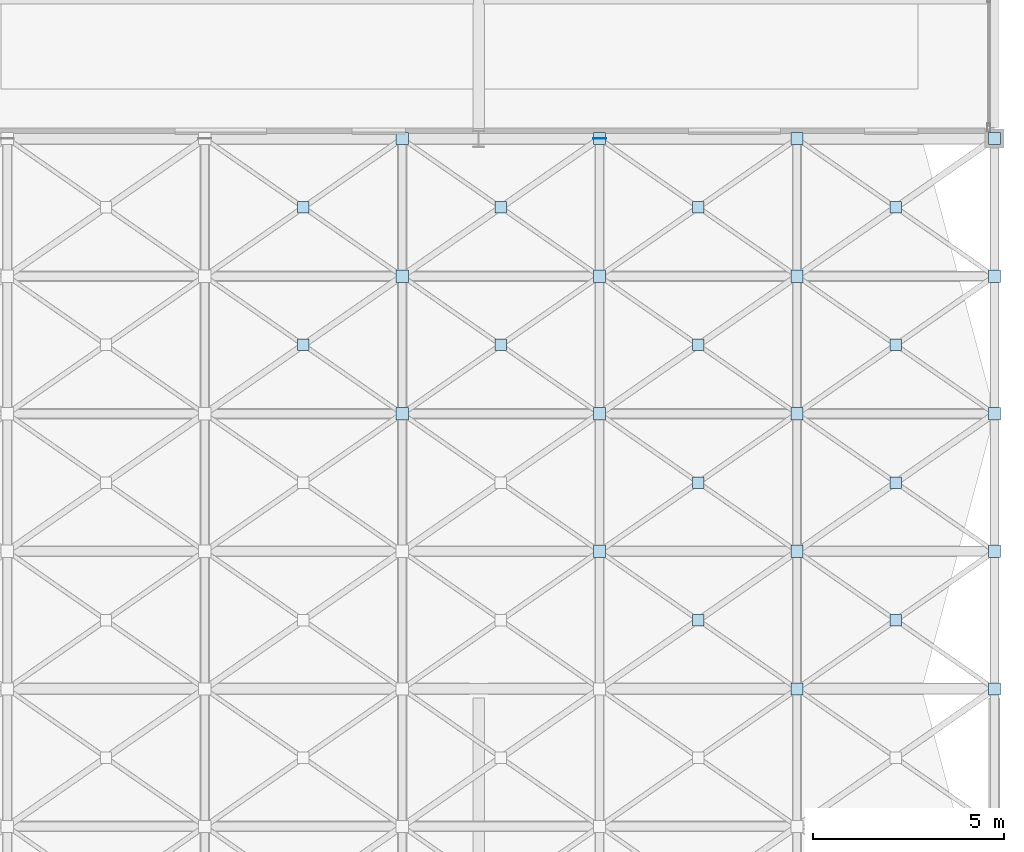
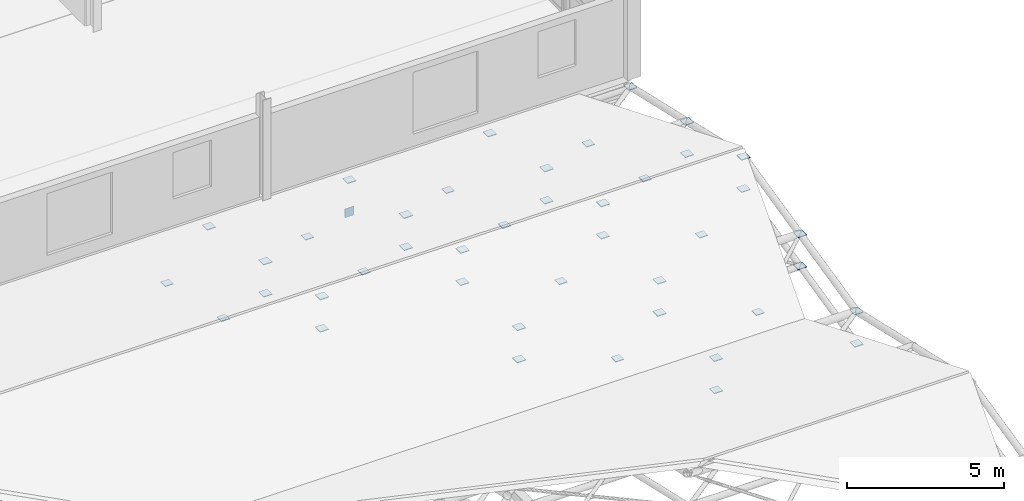
# One storey, part 100 of 110: 43 plates.
"""IFC4 building model written with IfcOpenShell, lengths in metres."""

import ifcopenshell
import ifcopenshell.guid

model = None  # the IFC model being written
_history = None  # IfcOwnerHistory: only IFC2X3 demands one
_inside = {}  # id of a spatial element -> (the spatial element, [elements in it])
_under = {}  # id of a project, library or spatial element -> (it, [spatial elements below it])
_declared = {}  # id of a project -> (the project, [libraries it declares])
_typed = {}  # id of a type object -> (the type object, [elements of that type])
_made_of = {}  # id of a material, layer set ... -> (it, [elements and type objects made of it])


def new_model(schema):
    """Start an empty IFC model of exactly this schema.

    Asked for "IFC4X3", IfcOpenShell would pick the latest addendum, in which some entities
    have other attributes; the version numbers below select the first issue.
    IFC2X3 requires an IfcOwnerHistory on every rooted entity: one is made here for all.
    """
    global model, _history
    if schema == "IFC4X3":
        model = ifcopenshell.file(schema_version=(4, 3, 0, 0))
    else:
        model = ifcopenshell.file(schema=schema)
    _inside.clear()
    _under.clear()
    _declared.clear()
    _typed.clear()
    _made_of.clear()
    _history = None
    if model.schema == "IFC2X3":
        org = make("IfcOrganization", Name="unknown")
        user = make(
            "IfcPersonAndOrganization",
            ThePerson=make("IfcPerson", FamilyName="unknown"),
            TheOrganization=org,
        )
        app = make(
            "IfcApplication",
            ApplicationDeveloper=org,
            Version="unknown",
            ApplicationFullName="unknown",
            ApplicationIdentifier="unknown",
        )
        _history = make(
            "IfcOwnerHistory",
            OwningUser=user,
            OwningApplication=app,
            ChangeAction="ADDED",
            CreationDate=0,
        )
    return model


def make(cls, **values):
    """One entity of the class cls with the attributes given. An attribute that is None is left unset."""
    return model.create_entity(
        cls, **{name: value for name, value in values.items() if value is not None}
    )


def rooted(cls, **values):
    """An entity with a GlobalId (a new one), such as an element, a storey or a relation."""
    return make(cls, GlobalId=ifcopenshell.guid.new(), OwnerHistory=_history, **values)


def si_unit(unit_type, name, prefix=None):
    """IfcSIUnit, for example si_unit("LENGTHUNIT", "METRE", prefix="MILLI")."""
    return make("IfcSIUnit", UnitType=unit_type, Prefix=prefix, Name=name)


def assignment(units):
    """IfcUnitAssignment: the units of a project."""
    return None if units is None else make("IfcUnitAssignment", Units=units)


def point(xyz):
    """IfcCartesianPoint."""
    return None if xyz is None else make("IfcCartesianPoint", Coordinates=xyz)


def direction(xyz):
    """IfcDirection."""
    return None if xyz is None else make("IfcDirection", DirectionRatios=xyz)


def frame(location, z_axis=None, x_axis=None):
    """IfcAxis2Placement3D, a coordinate frame: its origin and axes. An axis left out is left unset."""
    return make(
        "IfcAxis2Placement3D",
        Location=point(location),
        Axis=direction(z_axis),
        RefDirection=direction(x_axis),
    )


def frame_2d(location, x_axis=None):
    """IfcAxis2Placement2D, a coordinate frame in the plane: its origin and x axis."""
    return make(
        "IfcAxis2Placement2D", Location=point(location), RefDirection=direction(x_axis)
    )


def origin():
    """The frame at (0, 0, 0) with its axes left unset."""
    return frame((0.0, 0.0, 0.0))


def origin_2d():
    """The frame at (0, 0) in the plane with its x axis left unset."""
    return frame_2d((0.0, 0.0))


def place(relative_to, where):
    """IfcLocalPlacement: puts the frame where relative to a parent placement (None: the world)."""
    return make(
        "IfcLocalPlacement", PlacementRelTo=relative_to, RelativePlacement=where
    )


def context(
    kind, dimensions, precision=None, world=None, true_north=None, identifier=None
):
    """IfcGeometricRepresentationContext, for example the 3D "Model" context."""
    return make(
        "IfcGeometricRepresentationContext",
        ContextIdentifier=identifier,
        ContextType=kind,
        CoordinateSpaceDimension=dimensions,
        Precision=precision,
        WorldCoordinateSystem=world,
        TrueNorth=true_north,
    )


def subcontext(parent, identifier, kind, view, scale=None):
    """IfcGeometricRepresentationSubContext, for example "Body" below "Model"."""
    return make(
        "IfcGeometricRepresentationSubContext",
        ContextIdentifier=identifier,
        ContextType=kind,
        ParentContext=parent,
        TargetScale=scale,
        TargetView=view,
    )


def project(units=None, contexts=None):
    """IfcProject with its units and contexts."""
    return rooted(
        "IfcProject",
        Name="project",
        RepresentationContexts=contexts,
        UnitsInContext=assignment(units),
    )


def spatial(cls, under=None, at=None, **own):
    """A site, building, storey or space (cls), placed at a placement, below another one or the project."""
    s = rooted(cls, ObjectPlacement=at, **own)
    if under is not None:
        _under.setdefault(under.id(), (under, []))[1].append(s)
    return s


def profile(cls, at=None, kind="AREA", **sizes):
    """A parametric profile (cls). Its sizes go by their IFC names, for example OverallWidth=200.0."""
    return make(cls, ProfileType=kind, Position=at, **sizes)


def rectangle(**sizes):
    """IfcRectangleProfileDef."""
    return profile("IfcRectangleProfileDef", **sizes)


def extrude(swept, where, along, depth):
    """IfcExtrudedAreaSolid: the profile swept, set in the frame where, extruded along a direction by depth."""
    return make(
        "IfcExtrudedAreaSolid",
        SweptArea=swept,
        Position=where,
        ExtrudedDirection=direction(along),
        Depth=depth,
    )


def shape(context_of_items, identifier, shape_type, items):
    """IfcShapeRepresentation: the items that make up one representation, for example the "Body"."""
    return make(
        "IfcShapeRepresentation",
        ContextOfItems=context_of_items,
        RepresentationIdentifier=identifier,
        RepresentationType=shape_type,
        Items=items,
    )


def material(Name=None, Category=None):
    """IfcMaterial."""
    return make("IfcMaterial", Name=Name, Category=Category)


def layer(
    of_material, thickness, ventilated=None, Name=None, Category=None, Priority=None
):
    """IfcMaterialLayer: one layer of a wall or slab, of a material (None: an air gap)."""
    return make(
        "IfcMaterialLayer",
        Material=of_material,
        LayerThickness=thickness,
        IsVentilated=ventilated,
        Name=Name,
        Category=Category,
        Priority=Priority,
    )


def layer_set(layers, Name=None):
    """IfcMaterialLayerSet."""
    return make("IfcMaterialLayerSet", MaterialLayers=layers, LayerSetName=Name)


def made_of(thing, what):
    """Note that an element or type object is made of a material, layer set ...; save() writes the relation."""
    if what is not None:
        _made_of.setdefault(what.id(), (what, []))[1].append(thing)
    return thing


def type_object(cls, material=None, **own):
    """A type object (cls), such as IfcWallType, which elements share."""
    return made_of(rooted(cls, **own), material)


def element(
    cls,
    number,
    at=None,
    inside=None,
    cuts=None,
    type_object=None,
    material=None,
    context=None,
    identifier="Body",
    shape_type=None,
    held_by="IfcProductDefinitionShape",
    body=None,
    shapes=None,
    **own,
):
    """One element of the class cls, such as IfcWall. Its Tag is "e" and its number.

    at: its placement. inside: the storey or other place that contains it. cuts: it is an
    opening in that element (IfcRelVoidsElement). A single representation is given by context,
    identifier, shape_type and body (its items); several are given by shapes. held_by: the class
    of the entity that holds the representations. save() writes the other relations.
    """
    e = rooted(cls, Tag="e%d" % number, ObjectPlacement=at, **own)
    if body is not None:
        shapes = [shape(context, identifier, shape_type, body)]
    if shapes is not None:
        e.Representation = make(held_by, Representations=shapes)
    if inside is not None:
        _inside.setdefault(inside.id(), (inside, []))[1].append(e)
    if cuts is not None:
        rooted(
            "IfcRelVoidsElement", RelatingBuildingElement=cuts, RelatedOpeningElement=e
        )
    if type_object is not None:
        _typed.setdefault(type_object.id(), (type_object, []))[1].append(e)
    return made_of(e, material)


def aggregate(whole, parts):
    """IfcRelAggregates: a whole, such as a stair, and the parts it consists of."""
    return rooted("IfcRelAggregates", RelatingObject=whole, RelatedObjects=parts)


def save(model, path):
    """Write the relations noted so far, then the file.

    IfcRelAggregates (storeys below a building ...), IfcRelContainedInSpatialStructure (elements
    in a storey), IfcRelDefinesByType, IfcRelAssociatesMaterial and IfcRelDeclares: one each for
    every whole, place, type object, material and project.
    """
    for whole, parts in _under.values():
        aggregate(whole, parts)
    for where, things in _inside.values():
        rooted(
            "IfcRelContainedInSpatialStructure",
            RelatedElements=things,
            RelatingStructure=where,
        )
    for kind, things in _typed.values():
        rooted("IfcRelDefinesByType", RelatedObjects=things, RelatingType=kind)
    for what, things in _made_of.values():
        rooted("IfcRelAssociatesMaterial", RelatedObjects=things, RelatingMaterial=what)
    for by, libraries in _declared.values():
        rooted("IfcRelDeclares", RelatingContext=by, RelatedDefinitions=libraries)
    model.write(path)


model = new_model("IFC4")

# Units and contexts
model_context = context("Model", 3, precision=1e-05, world=origin(), true_north=direction((0.0, 1.0)))
body_context = subcontext(model_context, "Body", "Model", "MODEL_VIEW")
ifc_project = project(units=[si_unit("LENGTHUNIT", "METRE"), si_unit("AREAUNIT", "SQUARE_METRE"), si_unit("VOLUMEUNIT", "CUBIC_METRE"), si_unit("PLANEANGLEUNIT", "RADIAN"), si_unit("MASSUNIT", "GRAM", prefix="KILO")], contexts=[model_context])

# Site, building, storey
site_placement = place(None, origin())
site = spatial("IfcSite", under=ifc_project, at=site_placement, CompositionType="ELEMENT")
building_placement = place(site_placement, origin())
building = spatial("IfcBuilding", under=site, at=building_placement, Name="Tamarisk Ironworks Central Station", CompositionType="ELEMENT")
storey_placement = place(building_placement, frame((0.0, 0.0, 17.39990234375)))
storey = spatial("IfcBuildingStorey", under=building, at=storey_placement, Name="L03", CompositionType="ELEMENT", Elevation=17.39990234375)

# Plates
ifc_material_1 = material(Name="Painted structural steel S355J2", Category="steel")
ifc_layer_1 = layer(ifc_material_1, 0.01611328125)
ifc_layer_set_1 = layer_set([ifc_layer_1], Name="Painted structural steel S355J2")
plate_type_1 = type_object("IfcPlateType", Name="PL-EC16", PredefinedType="SHEET", material=ifc_layer_set_1)
plate_1_placement = place(storey_placement, frame((169.666748046875, 79.199951171875, -1.89013671875), z_axis=(0.0, 0.0, 1.0), x_axis=(1.0, 0.0, 0.0)))
element("IfcPlate", 1, at=plate_1_placement, inside=storey, type_object=plate_type_1, Name="Hollow section welded end-cap plate 21", PredefinedType="SHEET", context=body_context, shape_type="SweptSolid", body=[
    extrude(rectangle(XDim=0.340087890625, YDim=0.01611328125, at=origin_2d()), origin(), (0.0, 0.0, 1.0), 0.340087890625),
])
ifc_material_2 = material(Name="Structural steel S355J2H", Category="steel")
ifc_layer_2 = layer(ifc_material_2, 0.02587890625)
ifc_layer_set_2 = layer_set([ifc_layer_2], Name="Structural steel S355J2H")
plate_type_2 = type_object("IfcPlateType", Name="PL-ND26", PredefinedType="SHEET", material=ifc_layer_set_2)
for number, where, z_axis, x_axis, name in (
    (2, (174.833251953125, 64.800048828125, -0.48291015625), (0.0, 0.0, 1.0), (1.0, 0.0, 0.0), "Space-frame collector node plate 0946"),
    (3, (180.0, 64.800048828125, -0.48291015625), (0.0, 0.0, 1.0), (1.0, 0.0, 0.0), "Space-frame collector node plate 0958"),
    (4, (164.5, 72.0, 1.167236328125), (0.0, 0.0, 1.0), (1.0, 0.0, 0.0), "Space-frame collector node plate 1068"),
):
    element("IfcPlate", number, at=place(storey_placement, frame(where, z_axis=z_axis, x_axis=x_axis)), inside=storey, type_object=plate_type_2, Name=name, PredefinedType="SHEET", context=body_context, shape_type="SweptSolid", body=[
        extrude(rectangle(XDim=0.320068359375, YDim=0.320068359375, at=origin_2d()), origin(), (0.0, 0.0, 1.0), 0.02587890625),
    ])
plate_2_placement = place(storey_placement, frame((161.916748046875, 73.800048828125, 0.129638671875), z_axis=(0.0, 0.0, 1.0), x_axis=(1.0, 0.0, 0.0)))
element("IfcPlate", 5, at=plate_2_placement, inside=storey, type_object=plate_type_2, Name="Space-frame X-brace crossing gusset plate 1069", PredefinedType="SHEET", context=body_context, shape_type="SweptSolid", body=[
    extrude(rectangle(XDim=0.300048828125, YDim=0.300048828125, at=origin_2d()), origin(), (0.0, 0.0, 1.0), 0.02587890625),
])
for number, where, z_axis, x_axis, name in (
    (6, (164.5, 72.0, -0.082763671875), (0.0, 0.0, 1.0), (1.0, 0.0, 0.0), "Space-frame collector node plate 1070"),
    (7, (164.5, 75.60009765625, 0.342041015625), (0.0, 0.0, 1.0), (1.0, 0.0, 0.0), "Space-frame collector node plate 1071"),
):
    element("IfcPlate", number, at=place(storey_placement, frame(where, z_axis=z_axis, x_axis=x_axis)), inside=storey, type_object=plate_type_2, Name=name, PredefinedType="SHEET", context=body_context, shape_type="SweptSolid", body=[
        extrude(rectangle(XDim=0.320068359375, YDim=0.320068359375, at=origin_2d()), origin(), (0.0, 0.0, 1.0), 0.02587890625),
    ])
plate_3_placement = place(storey_placement, frame((161.916748046875, 77.39990234375, -0.6953125), z_axis=(0.0, 0.0, 1.0), x_axis=(1.0, 0.0, 0.0)))
element("IfcPlate", 8, at=plate_3_placement, inside=storey, type_object=plate_type_2, Name="Space-frame X-brace crossing gusset plate 1072", PredefinedType="SHEET", context=body_context, shape_type="SweptSolid", body=[
    extrude(rectangle(XDim=0.300048828125, YDim=0.300048828125, at=origin_2d()), origin(), (0.0, 0.0, 1.0), 0.02587890625),
])
for number, where, z_axis, x_axis, name in (
    (9, (164.5, 75.60009765625, -0.907958984375), (0.0, 0.0, 1.0), (1.0, 0.0, 0.0), "Space-frame collector node plate 1073"),
    (10, (164.5, 79.199951171875, -0.48291015625), (0.0, 0.0, 1.0), (1.0, 0.0, 0.0), "Space-frame collector node plate 1074"),
    (11, (169.666748046875, 68.39990234375, 0.342041015625), (0.0, 0.0, 1.0), (1.0, 0.0, 0.0), "Space-frame collector node plate 1077"),
    (12, (169.666748046875, 68.39990234375, -0.907958984375), (0.0, 0.0, 1.0), (1.0, 0.0, 0.0), "Space-frame collector node plate 1079"),
    (13, (169.666748046875, 72.0, 1.167236328125), (0.0, 0.0, 1.0), (1.0, 0.0, 0.0), "Space-frame collector node plate 1080"),
):
    element("IfcPlate", number, at=place(storey_placement, frame(where, z_axis=z_axis, x_axis=x_axis)), inside=storey, type_object=plate_type_2, Name=name, PredefinedType="SHEET", context=body_context, shape_type="SweptSolid", body=[
        extrude(rectangle(XDim=0.320068359375, YDim=0.320068359375, at=origin_2d()), origin(), (0.0, 0.0, 1.0), 0.02587890625),
    ])
plate_4_placement = place(storey_placement, frame((167.083251953125, 73.800048828125, 0.129638671875), z_axis=(0.0, 0.0, 1.0), x_axis=(1.0, 0.0, 0.0)))
element("IfcPlate", 14, at=plate_4_placement, inside=storey, type_object=plate_type_2, Name="Space-frame X-brace crossing gusset plate 1081", PredefinedType="SHEET", context=body_context, shape_type="SweptSolid", body=[
    extrude(rectangle(XDim=0.300048828125, YDim=0.300048828125, at=origin_2d()), origin(), (0.0, 0.0, 1.0), 0.02587890625),
])
for number, where, z_axis, x_axis, name in (
    (15, (169.666748046875, 72.0, -0.082763671875), (0.0, 0.0, 1.0), (1.0, 0.0, 0.0), "Space-frame collector node plate 1082"),
    (16, (169.666748046875, 75.60009765625, 0.342041015625), (0.0, 0.0, 1.0), (1.0, 0.0, 0.0), "Space-frame collector node plate 1083"),
):
    element("IfcPlate", number, at=place(storey_placement, frame(where, z_axis=z_axis, x_axis=x_axis)), inside=storey, type_object=plate_type_2, Name=name, PredefinedType="SHEET", context=body_context, shape_type="SweptSolid", body=[
        extrude(rectangle(XDim=0.320068359375, YDim=0.320068359375, at=origin_2d()), origin(), (0.0, 0.0, 1.0), 0.02587890625),
    ])
plate_5_placement = place(storey_placement, frame((167.083251953125, 77.39990234375, -0.6953125), z_axis=(0.0, 0.0, 1.0), x_axis=(1.0, 0.0, 0.0)))
element("IfcPlate", 17, at=plate_5_placement, inside=storey, type_object=plate_type_2, Name="Space-frame X-brace crossing gusset plate 1084", PredefinedType="SHEET", context=body_context, shape_type="SweptSolid", body=[
    extrude(rectangle(XDim=0.300048828125, YDim=0.300048828125, at=origin_2d()), origin(), (0.0, 0.0, 1.0), 0.02587890625),
])
for number, where, z_axis, x_axis, name in (
    (18, (169.666748046875, 75.60009765625, -0.907958984375), (0.0, 0.0, 1.0), (1.0, 0.0, 0.0), "Space-frame collector node plate 1085"),
    (19, (169.666748046875, 79.199951171875, -0.48291015625), (0.0, 0.0, 1.0), (1.0, 0.0, 0.0), "Space-frame collector node plate 1086"),
):
    element("IfcPlate", number, at=place(storey_placement, frame(where, z_axis=z_axis, x_axis=x_axis)), inside=storey, type_object=plate_type_2, Name=name, PredefinedType="SHEET", context=body_context, shape_type="SweptSolid", body=[
        extrude(rectangle(XDim=0.320068359375, YDim=0.320068359375, at=origin_2d()), origin(), (0.0, 0.0, 1.0), 0.02587890625),
    ])
plate_6_placement = place(storey_placement, frame((172.25, 66.60009765625, -0.6953125), z_axis=(0.0, 0.0, 1.0), x_axis=(1.0, 0.0, 0.0)))
element("IfcPlate", 20, at=plate_6_placement, inside=storey, type_object=plate_type_2, Name="Space-frame X-brace crossing gusset plate 1087", PredefinedType="SHEET", context=body_context, shape_type="SweptSolid", body=[
    extrude(rectangle(XDim=0.300048828125, YDim=0.300048828125, at=origin_2d()), origin(), (0.0, 0.0, 1.0), 0.02587890625),
])
for number, where, z_axis, x_axis, name in (
    (21, (174.833251953125, 64.800048828125, -1.73291015625), (0.0, 0.0, 1.0), (1.0, 0.0, 0.0), "Space-frame collector node plate 1088"),
    (22, (174.833251953125, 68.39990234375, 0.342041015625), (0.0, 0.0, 1.0), (1.0, 0.0, 0.0), "Space-frame collector node plate 1089"),
):
    element("IfcPlate", number, at=place(storey_placement, frame(where, z_axis=z_axis, x_axis=x_axis)), inside=storey, type_object=plate_type_2, Name=name, PredefinedType="SHEET", context=body_context, shape_type="SweptSolid", body=[
        extrude(rectangle(XDim=0.320068359375, YDim=0.320068359375, at=origin_2d()), origin(), (0.0, 0.0, 1.0), 0.02587890625),
    ])
plate_7_placement = place(storey_placement, frame((172.25, 70.199951171875, 0.129638671875), z_axis=(0.0, 0.0, 1.0), x_axis=(1.0, 0.0, 0.0)))
element("IfcPlate", 23, at=plate_7_placement, inside=storey, type_object=plate_type_2, Name="Space-frame X-brace crossing gusset plate 1090", PredefinedType="SHEET", context=body_context, shape_type="SweptSolid", body=[
    extrude(rectangle(XDim=0.300048828125, YDim=0.300048828125, at=origin_2d()), origin(), (0.0, 0.0, 1.0), 0.02587890625),
])
for number, where, z_axis, x_axis, name in (
    (24, (174.833251953125, 68.39990234375, -0.907958984375), (0.0, 0.0, 1.0), (1.0, 0.0, 0.0), "Space-frame collector node plate 1091"),
    (25, (174.833251953125, 72.0, 1.167236328125), (0.0, 0.0, 1.0), (1.0, 0.0, 0.0), "Space-frame collector node plate 1092"),
):
    element("IfcPlate", number, at=place(storey_placement, frame(where, z_axis=z_axis, x_axis=x_axis)), inside=storey, type_object=plate_type_2, Name=name, PredefinedType="SHEET", context=body_context, shape_type="SweptSolid", body=[
        extrude(rectangle(XDim=0.320068359375, YDim=0.320068359375, at=origin_2d()), origin(), (0.0, 0.0, 1.0), 0.02587890625),
    ])
plate_8_placement = place(storey_placement, frame((172.25, 73.800048828125, 0.129638671875), z_axis=(0.0, 0.0, 1.0), x_axis=(1.0, 0.0, 0.0)))
element("IfcPlate", 26, at=plate_8_placement, inside=storey, type_object=plate_type_2, Name="Space-frame X-brace crossing gusset plate 1093", PredefinedType="SHEET", context=body_context, shape_type="SweptSolid", body=[
    extrude(rectangle(XDim=0.300048828125, YDim=0.300048828125, at=origin_2d()), origin(), (0.0, 0.0, 1.0), 0.02587890625),
])
for number, where, z_axis, x_axis, name in (
    (27, (174.833251953125, 72.0, -0.082763671875), (0.0, 0.0, 1.0), (1.0, 0.0, 0.0), "Space-frame collector node plate 1094"),
    (28, (174.833251953125, 75.60009765625, 0.342041015625), (0.0, 0.0, 1.0), (1.0, 0.0, 0.0), "Space-frame collector node plate 1095"),
):
    element("IfcPlate", number, at=place(storey_placement, frame(where, z_axis=z_axis, x_axis=x_axis)), inside=storey, type_object=plate_type_2, Name=name, PredefinedType="SHEET", context=body_context, shape_type="SweptSolid", body=[
        extrude(rectangle(XDim=0.320068359375, YDim=0.320068359375, at=origin_2d()), origin(), (0.0, 0.0, 1.0), 0.02587890625),
    ])
plate_9_placement = place(storey_placement, frame((172.25, 77.39990234375, -0.6953125), z_axis=(0.0, 0.0, 1.0), x_axis=(1.0, 0.0, 0.0)))
element("IfcPlate", 29, at=plate_9_placement, inside=storey, type_object=plate_type_2, Name="Space-frame X-brace crossing gusset plate 1096", PredefinedType="SHEET", context=body_context, shape_type="SweptSolid", body=[
    extrude(rectangle(XDim=0.300048828125, YDim=0.300048828125, at=origin_2d()), origin(), (0.0, 0.0, 1.0), 0.02587890625),
])
for number, where, z_axis, x_axis, name in (
    (30, (174.833251953125, 75.60009765625, -0.907958984375), (0.0, 0.0, 1.0), (1.0, 0.0, 0.0), "Space-frame collector node plate 1097"),
    (31, (174.833251953125, 79.199951171875, -0.48291015625), (0.0, 0.0, 1.0), (1.0, 0.0, 0.0), "Space-frame collector node plate 1098"),
):
    element("IfcPlate", number, at=place(storey_placement, frame(where, z_axis=z_axis, x_axis=x_axis)), inside=storey, type_object=plate_type_2, Name=name, PredefinedType="SHEET", context=body_context, shape_type="SweptSolid", body=[
        extrude(rectangle(XDim=0.320068359375, YDim=0.320068359375, at=origin_2d()), origin(), (0.0, 0.0, 1.0), 0.02587890625),
    ])
plate_10_placement = place(storey_placement, frame((177.416748046875, 66.60009765625, -0.6953125), z_axis=(0.0, 0.0, 1.0), x_axis=(1.0, 0.0, 0.0)))
element("IfcPlate", 32, at=plate_10_placement, inside=storey, type_object=plate_type_2, Name="Space-frame X-brace crossing gusset plate 1099", PredefinedType="SHEET", context=body_context, shape_type="SweptSolid", body=[
    extrude(rectangle(XDim=0.300048828125, YDim=0.300048828125, at=origin_2d()), origin(), (0.0, 0.0, 1.0), 0.02587890625),
])
for number, where, z_axis, x_axis, name in (
    (33, (180.0, 64.800048828125, -1.73291015625), (0.0, 0.0, 1.0), (1.0, 0.0, 0.0), "Space-frame collector node plate 1100"),
    (34, (180.0, 68.39990234375, 0.342041015625), (0.0, 0.0, 1.0), (1.0, 0.0, 0.0), "Space-frame collector node plate 1101"),
):
    element("IfcPlate", number, at=place(storey_placement, frame(where, z_axis=z_axis, x_axis=x_axis)), inside=storey, type_object=plate_type_2, Name=name, PredefinedType="SHEET", context=body_context, shape_type="SweptSolid", body=[
        extrude(rectangle(XDim=0.320068359375, YDim=0.320068359375, at=origin_2d()), origin(), (0.0, 0.0, 1.0), 0.02587890625),
    ])
plate_11_placement = place(storey_placement, frame((177.416748046875, 70.199951171875, 0.129638671875), z_axis=(0.0, 0.0, 1.0), x_axis=(1.0, 0.0, 0.0)))
element("IfcPlate", 35, at=plate_11_placement, inside=storey, type_object=plate_type_2, Name="Space-frame X-brace crossing gusset plate 1102", PredefinedType="SHEET", context=body_context, shape_type="SweptSolid", body=[
    extrude(rectangle(XDim=0.300048828125, YDim=0.300048828125, at=origin_2d()), origin(), (0.0, 0.0, 1.0), 0.02587890625),
])
for number, where, z_axis, x_axis, name in (
    (36, (180.0, 68.39990234375, -0.907958984375), (0.0, 0.0, 1.0), (1.0, 0.0, 0.0), "Space-frame collector node plate 1103"),
    (37, (180.0, 72.0, 1.167236328125), (0.0, 0.0, 1.0), (1.0, 0.0, 0.0), "Space-frame collector node plate 1104"),
):
    element("IfcPlate", number, at=place(storey_placement, frame(where, z_axis=z_axis, x_axis=x_axis)), inside=storey, type_object=plate_type_2, Name=name, PredefinedType="SHEET", context=body_context, shape_type="SweptSolid", body=[
        extrude(rectangle(XDim=0.320068359375, YDim=0.320068359375, at=origin_2d()), origin(), (0.0, 0.0, 1.0), 0.02587890625),
    ])
plate_12_placement = place(storey_placement, frame((177.416748046875, 73.800048828125, 0.129638671875), z_axis=(0.0, 0.0, 1.0), x_axis=(1.0, 0.0, 0.0)))
element("IfcPlate", 38, at=plate_12_placement, inside=storey, type_object=plate_type_2, Name="Space-frame X-brace crossing gusset plate 1105", PredefinedType="SHEET", context=body_context, shape_type="SweptSolid", body=[
    extrude(rectangle(XDim=0.300048828125, YDim=0.300048828125, at=origin_2d()), origin(), (0.0, 0.0, 1.0), 0.02587890625),
])
for number, where, z_axis, x_axis, name in (
    (39, (180.0, 72.0, -0.082763671875), (0.0, 0.0, 1.0), (1.0, 0.0, 0.0), "Space-frame collector node plate 1106"),
    (40, (180.0, 75.60009765625, 0.342041015625), (0.0, 0.0, 1.0), (1.0, 0.0, 0.0), "Space-frame collector node plate 1107"),
):
    element("IfcPlate", number, at=place(storey_placement, frame(where, z_axis=z_axis, x_axis=x_axis)), inside=storey, type_object=plate_type_2, Name=name, PredefinedType="SHEET", context=body_context, shape_type="SweptSolid", body=[
        extrude(rectangle(XDim=0.320068359375, YDim=0.320068359375, at=origin_2d()), origin(), (0.0, 0.0, 1.0), 0.02587890625),
    ])
plate_13_placement = place(storey_placement, frame((177.416748046875, 77.39990234375, -0.6953125), z_axis=(0.0, 0.0, 1.0), x_axis=(1.0, 0.0, 0.0)))
element("IfcPlate", 41, at=plate_13_placement, inside=storey, type_object=plate_type_2, Name="Space-frame X-brace crossing gusset plate 1108", PredefinedType="SHEET", context=body_context, shape_type="SweptSolid", body=[
    extrude(rectangle(XDim=0.300048828125, YDim=0.300048828125, at=origin_2d()), origin(), (0.0, 0.0, 1.0), 0.02587890625),
])
for number, where, z_axis, x_axis, name in (
    (42, (180.0, 75.60009765625, -0.907958984375), (0.0, 0.0, 1.0), (1.0, 0.0, 0.0), "Space-frame collector node plate 1109"),
    (43, (180.0, 79.199951171875, -0.48291015625), (0.0, 0.0, 1.0), (1.0, 0.0, 0.0), "Space-frame collector node plate 1110"),
):
    element("IfcPlate", number, at=place(storey_placement, frame(where, z_axis=z_axis, x_axis=x_axis)), inside=storey, type_object=plate_type_2, Name=name, PredefinedType="SHEET", context=body_context, shape_type="SweptSolid", body=[
        extrude(rectangle(XDim=0.320068359375, YDim=0.320068359375, at=origin_2d()), origin(), (0.0, 0.0, 1.0), 0.02587890625),
    ])

save(model, "model.ifc")
